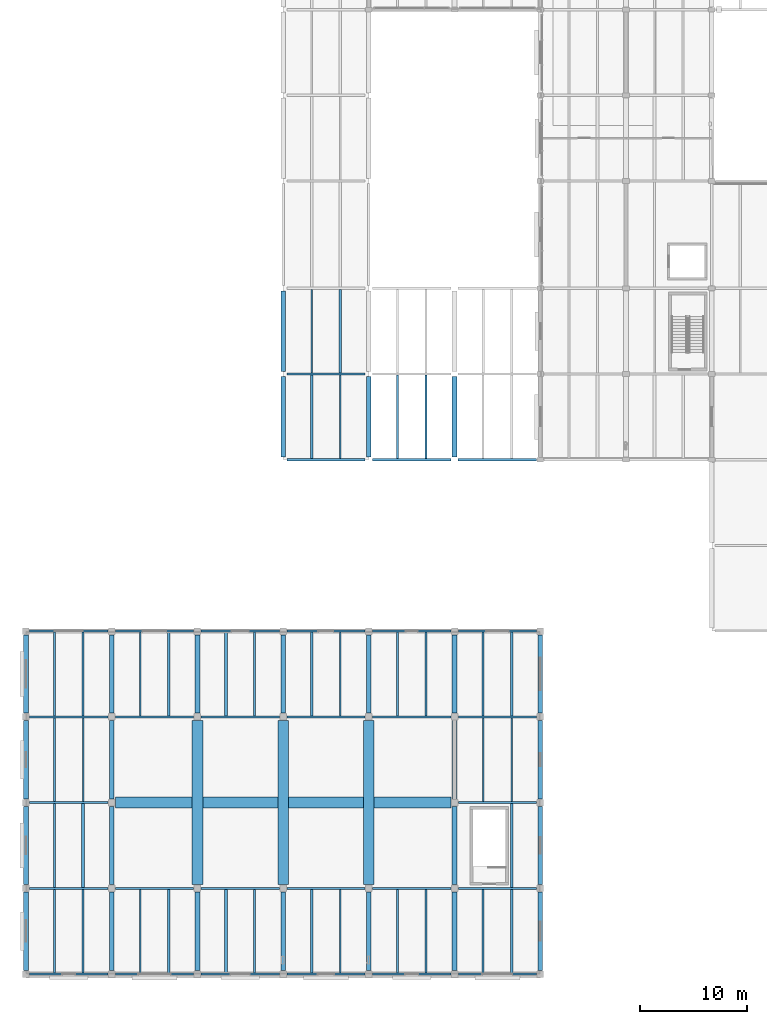
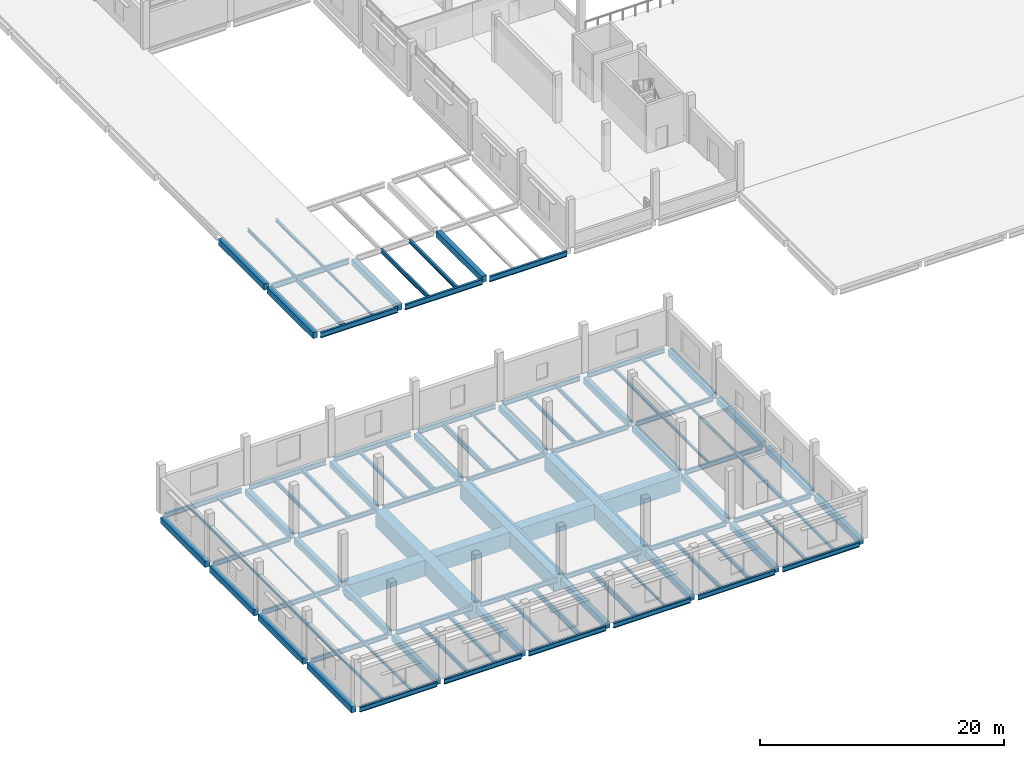
# One storey, part 3 of 52: 97 beams.
"""IFC4 building model written with IfcOpenShell, lengths in metres."""

from ifc_helpers import new_model, si_unit, direction, frame, origin, origin_2d, place, context, subcontext, project, spatial, rectangle, i_section, extrude, material, material_profile, profile_set, type_object, element, save


model = new_model("IFC4")

# Units and contexts
model_context = context("Model", 3, precision=1e-05, world=origin(), true_north=direction((0.0, 1.0)))
body_context = subcontext(model_context, "Body", "Model", "MODEL_VIEW")
ifc_project = project(units=[si_unit("LENGTHUNIT", "METRE"), si_unit("AREAUNIT", "SQUARE_METRE"), si_unit("VOLUMEUNIT", "CUBIC_METRE"), si_unit("PLANEANGLEUNIT", "RADIAN"), si_unit("MASSUNIT", "GRAM", prefix="KILO")], contexts=[model_context])

# Site, building, storey
site_placement = place(None, origin())
site = spatial("IfcSite", under=ifc_project, at=site_placement, CompositionType="ELEMENT")
building_placement = place(site_placement, origin())
building = spatial("IfcBuilding", under=site, at=building_placement, Name="Pecanmere Concourse Central Library", CompositionType="ELEMENT")
storey_placement = place(building_placement, frame((0.0, 0.0, 10.5)))
storey = spatial("IfcBuildingStorey", under=building, at=storey_placement, Name="L03", CompositionType="ELEMENT", Elevation=10.5)

# Beams
ifc_material_1 = material(Name="Concrete C40/50", Category="concrete")
ifc_material_profile_1 = material_profile(ifc_material_1, rectangle(XDim=0.43994140625, YDim=0.6201171875, at=origin_2d()), Name="RC 440x620")
ifc_profile_set_1 = profile_set([ifc_material_profile_1], Name="Concrete C40/50")
beam_type_1 = type_object("IfcBeamType", Name="GRD_440x620", PredefinedType="USERDEFINED", material=ifc_profile_set_1)
for number, where, z_axis, x_axis, name in (
    (1, (0.0, 0.35009765625, -0.64990234375), (0.0, 1.0, 0.0), (-1.0, 0.0, 0.0), "Primary Girder Y L03-1658"),
    (2, (0.0, 8.35009765625, -0.64990234375), (0.0, 1.0, 0.0), (-1.0, 0.0, 0.0), "Primary Girder Y L03-1659"),
    (3, (0.0, 16.35009765625, -0.64990234375), (0.0, 1.0, 0.0), (-1.0, 0.0, 0.0), "Primary Girder Y L03-1660"),
    (4, (0.0, 24.35009765625, -0.64990234375), (0.0, 1.0, 0.0), (-1.0, 0.0, 0.0), "Primary Girder Y L03-1661"),
    (5, (8.0, 0.35009765625, -0.64990234375), (0.0, 1.0, 0.0), (-1.0, 0.0, 0.0), "Primary Girder Y L03-1662"),
    (6, (8.0, 8.35009765625, -0.64990234375), (0.0, 1.0, 0.0), (-1.0, 0.0, 0.0), "Primary Girder Y L03-1663"),
    (7, (8.0, 16.35009765625, -0.64990234375), (0.0, 1.0, 0.0), (-1.0, 0.0, 0.0), "Primary Girder Y L03-1664"),
    (8, (8.0, 24.35009765625, -0.64990234375), (0.0, 1.0, 0.0), (-1.0, 0.0, 0.0), "Primary Girder Y L03-1665"),
    (9, (16.0, 0.35009765625, -0.64990234375), (0.0, 1.0, 0.0), (-1.0, 0.0, 0.0), "Primary Girder Y L03-1666"),
    (10, (16.0, 24.35009765625, -0.64990234375), (0.0, 1.0, 0.0), (-1.0, 0.0, 0.0), "Primary Girder Y L03-1668"),
    (11, (24.0, 0.35009765625, -0.64990234375), (0.0, 1.0, 0.0), (-1.0, 0.0, 0.0), "Primary Girder Y L03-1669"),
    (12, (24.0, 24.35009765625, -0.64990234375), (0.0, 1.0, 0.0), (-1.0, 0.0, 0.0), "Primary Girder Y L03-1671"),
):
    element("IfcBeam", number, at=place(storey_placement, frame(where, z_axis=z_axis, x_axis=x_axis)), inside=storey, type_object=beam_type_1, Name=name, ObjectType="GIRDER", PredefinedType="USERDEFINED", context=body_context, shape_type="SweptSolid", body=[
        extrude(rectangle(XDim=0.43994140625, YDim=0.6201171875, at=origin_2d()), origin(), (0.0, 0.0, 1.0), 7.2998046875),
    ])
for number, where, z_axis, x_axis, name in (
    (13, (24.0, 48.239990234375, -0.64990234375), (0.0, 1.0, 0.0), (-1.0, 0.0, 0.0), "Primary Girder Y L03-1672"),
    (14, (24.0, 56.239990234375, -0.64990234375), (0.0, 1.0, 0.0), (-1.0, 0.0, 0.0), "Primary Girder Y L03-1673"),
):
    element("IfcBeam", number, at=place(storey_placement, frame(where, z_axis=z_axis, x_axis=x_axis)), inside=storey, type_object=beam_type_1, Name=name, ObjectType="GIRDER", PredefinedType="USERDEFINED", context=body_context, shape_type="SweptSolid", body=[
        extrude(rectangle(XDim=0.43994140625, YDim=0.6201171875, at=origin_2d()), origin(), (0.0, 0.0, 1.0), 7.52001953125),
    ])
for number, where, z_axis, x_axis, name in (
    (15, (32.0, 0.35009765625, -0.64990234375), (0.0, 1.0, 0.0), (-1.0, 0.0, 0.0), "Primary Girder Y L03-1679"),
    (16, (32.0, 24.35009765625, -0.64990234375), (0.0, 1.0, 0.0), (-1.0, 0.0, 0.0), "Primary Girder Y L03-1681"),
):
    element("IfcBeam", number, at=place(storey_placement, frame(where, z_axis=z_axis, x_axis=x_axis)), inside=storey, type_object=beam_type_1, Name=name, ObjectType="GIRDER", PredefinedType="USERDEFINED", context=body_context, shape_type="SweptSolid", body=[
        extrude(rectangle(XDim=0.43994140625, YDim=0.6201171875, at=origin_2d()), origin(), (0.0, 0.0, 1.0), 7.2998046875),
    ])
beam_1_placement = place(storey_placement, frame((32.0, 48.239990234375, -0.64990234375), z_axis=(0.0, 1.0, 0.0), x_axis=(-1.0, 0.0, 0.0)))
element("IfcBeam", 17, at=beam_1_placement, inside=storey, type_object=beam_type_1, Name="Primary Girder Y L03-1682", ObjectType="GIRDER", PredefinedType="USERDEFINED", context=body_context, shape_type="SweptSolid", body=[
    extrude(rectangle(XDim=0.43994140625, YDim=0.6201171875, at=origin_2d()), origin(), (0.0, 0.0, 1.0), 7.52001953125),
])
for number, where, z_axis, x_axis, name in (
    (18, (40.0, 0.35009765625, -0.64990234375), (0.0, 1.0, 0.0), (-1.0, 0.0, 0.0), "Primary Girder Y L03-1689"),
    (19, (40.0, 8.35009765625, -0.64990234375), (0.0, 1.0, 0.0), (-1.0, 0.0, 0.0), "Primary Girder Y L03-1690"),
    (20, (40.0, 16.35009765625, -0.64990234375), (0.0, 1.0, 0.0), (-1.0, 0.0, 0.0), "Primary Girder Y L03-1691"),
    (21, (40.0, 24.35009765625, -0.64990234375), (0.0, 1.0, 0.0), (-1.0, 0.0, 0.0), "Primary Girder Y L03-1692"),
):
    element("IfcBeam", number, at=place(storey_placement, frame(where, z_axis=z_axis, x_axis=x_axis)), inside=storey, type_object=beam_type_1, Name=name, ObjectType="GIRDER", PredefinedType="USERDEFINED", context=body_context, shape_type="SweptSolid", body=[
        extrude(rectangle(XDim=0.43994140625, YDim=0.6201171875, at=origin_2d()), origin(), (0.0, 0.0, 1.0), 7.2998046875),
    ])
beam_2_placement = place(storey_placement, frame((40.0, 48.239990234375, -0.64990234375), z_axis=(0.0, 1.0, 0.0), x_axis=(-1.0, 0.0, 0.0)))
element("IfcBeam", 22, at=beam_2_placement, inside=storey, type_object=beam_type_1, Name="Primary Girder Y L03-1693", ObjectType="GIRDER", PredefinedType="USERDEFINED", context=body_context, shape_type="SweptSolid", body=[
    extrude(rectangle(XDim=0.43994140625, YDim=0.6201171875, at=origin_2d()), origin(), (0.0, 0.0, 1.0), 7.52001953125),
])
for number, where, z_axis, x_axis, name in (
    (23, (48.0, 0.35009765625, -0.64990234375), (0.0, 1.0, 0.0), (-1.0, 0.0, 0.0), "Primary Girder Y L03-1697"),
    (24, (48.0, 8.35009765625, -0.64990234375), (0.0, 1.0, 0.0), (-1.0, 0.0, 0.0), "Primary Girder Y L03-1698"),
    (25, (48.0, 16.35009765625, -0.64990234375), (0.0, 1.0, 0.0), (-1.0, 0.0, 0.0), "Primary Girder Y L03-1699"),
    (26, (48.0, 24.35009765625, -0.64990234375), (0.0, 1.0, 0.0), (-1.0, 0.0, 0.0), "Primary Girder Y L03-1700"),
):
    element("IfcBeam", number, at=place(storey_placement, frame(where, z_axis=z_axis, x_axis=x_axis)), inside=storey, type_object=beam_type_1, Name=name, ObjectType="GIRDER", PredefinedType="USERDEFINED", context=body_context, shape_type="SweptSolid", body=[
        extrude(rectangle(XDim=0.43994140625, YDim=0.6201171875, at=origin_2d()), origin(), (0.0, 0.0, 1.0), 7.2998046875),
    ])
ifc_material_2 = material(Name="Structural steel ASTM A992 Grade 50", Category="steel")
ifc_material_profile_2 = material_profile(ifc_material_2, i_section(OverallWidth=0.152099609375, OverallDepth=0.152099609375, WebThickness=0.005859375, FlangeThickness=0.006591796875, at=origin_2d()), Name="W150x22.5")
ifc_profile_set_2 = profile_set([ifc_material_profile_2], Name="Structural steel ASTM A992 Grade 50")
beam_type_2 = type_object("IfcBeamType", Name="SBM_W150x22", PredefinedType="LINTEL", material=ifc_profile_set_2)
for number, where, z_axis, x_axis, name in (
    (27, (5.333251953125, 16.096923828125, -0.416015625), (0.0, 1.0, 0.0), (-1.0, 0.0, 0.0), "Secondary Floor Joist L03-1850"),
    (28, (45.333251953125, 16.096923828125, -0.416015625), (0.0, 1.0, 0.0), (-1.0, 0.0, 0.0), "Secondary Floor Joist L03-1895"),
):
    element("IfcBeam", number, at=place(storey_placement, frame(where, z_axis=z_axis, x_axis=x_axis)), inside=storey, type_object=beam_type_2, Name=name, PredefinedType="LINTEL", context=body_context, shape_type="SweptSolid", body=[
        extrude(i_section(OverallWidth=0.152099609375, OverallDepth=0.152099609375, WebThickness=0.005859375, FlangeThickness=0.006591796875, at=origin_2d()), origin(), (0.0, 0.0, 1.0), 7.80615234375),
    ])
ifc_material_3 = material(Name="Structural steel ASTM A992 Grade 50", Category="steel")
ifc_material_profile_3 = material_profile(ifc_material_3, i_section(OverallWidth=0.1650390625, OverallDepth=0.200927734375, WebThickness=0.006103515625, FlangeThickness=0.01025390625, at=origin_2d()), Name="W200x35.9")
ifc_profile_set_3 = profile_set([ifc_material_profile_3], Name="Structural steel ASTM A992 Grade 50")
beam_type_3 = type_object("IfcBeamType", Name="SBM_W200x36", PredefinedType="LINTEL", material=ifc_profile_set_3)
for number, where, z_axis, x_axis, name in (
    (29, (2.666748046875, 16.096923828125, -0.4404296875), (0.0, 1.0, 0.0), (-1.0, 0.0, 0.0), "Secondary Floor Joist L03-1849"),
    (30, (29.333251953125, 0.096923828125, -0.4404296875), (0.0, 1.0, 0.0), (-1.0, 0.0, 0.0), "Secondary Floor Joist L03-1862"),
    (31, (29.333251953125, 24.096923828125, -0.4404296875), (0.0, 1.0, 0.0), (-1.0, 0.0, 0.0), "Secondary Floor Joist L03-1864"),
):
    element("IfcBeam", number, at=place(storey_placement, frame(where, z_axis=z_axis, x_axis=x_axis)), inside=storey, type_object=beam_type_3, Name=name, PredefinedType="LINTEL", context=body_context, shape_type="SweptSolid", body=[
        extrude(i_section(OverallWidth=0.1650390625, OverallDepth=0.200927734375, WebThickness=0.006103515625, FlangeThickness=0.01025390625, at=origin_2d()), origin(), (0.0, 0.0, 1.0), 7.80615234375),
    ])
beam_3_placement = place(storey_placement, frame((29.333251953125, 48.10546875, -0.4404296875), z_axis=(0.0, 1.0, 0.0), x_axis=(-1.0, 0.0, 0.0)))
element("IfcBeam", 32, at=beam_3_placement, inside=storey, type_object=beam_type_3, Name="Secondary Floor Joist L03-1866", PredefinedType="LINTEL", context=body_context, shape_type="SweptSolid", body=[
    extrude(i_section(OverallWidth=0.1650390625, OverallDepth=0.200927734375, WebThickness=0.006103515625, FlangeThickness=0.01025390625, at=origin_2d()), origin(), (0.0, 0.0, 1.0), 7.7890625),
])
beam_4_placement = place(storey_placement, frame((42.666748046875, 16.096923828125, -0.4404296875), z_axis=(0.0, 1.0, 0.0), x_axis=(-1.0, 0.0, 0.0)))
element("IfcBeam", 33, at=beam_4_placement, inside=storey, type_object=beam_type_3, Name="Secondary Floor Joist L03-1894", PredefinedType="LINTEL", context=body_context, shape_type="SweptSolid", body=[
    extrude(i_section(OverallWidth=0.1650390625, OverallDepth=0.200927734375, WebThickness=0.006103515625, FlangeThickness=0.01025390625, at=origin_2d()), origin(), (0.0, 0.0, 1.0), 7.80615234375),
])
ifc_material_4 = material(Name="Structural steel ASTM A992 Grade 50", Category="steel")
ifc_material_profile_4 = material_profile(ifc_material_4, i_section(OverallWidth=0.2041015625, OverallDepth=0.2060546875, WebThickness=0.0078125, FlangeThickness=0.0126953125, at=origin_2d()), Name="W200x52")
ifc_profile_set_4 = profile_set([ifc_material_profile_4], Name="Structural steel ASTM A992 Grade 50")
beam_type_4 = type_object("IfcBeamType", Name="SBM_W200x52", PredefinedType="JOIST", material=ifc_profile_set_4)
for number, where, z_axis, x_axis, name in (
    (34, (5.333251953125, 0.096923828125, -0.443115234375), (0.0, 1.0, 0.0), (-1.0, 0.0, 0.0), "Secondary Floor Joist L03-1846"),
    (35, (5.333251953125, 24.096923828125, -0.443115234375), (0.0, 1.0, 0.0), (-1.0, 0.0, 0.0), "Secondary Floor Joist L03-1852"),
    (36, (45.333251953125, 0.096923828125, -0.443115234375), (0.0, 1.0, 0.0), (-1.0, 0.0, 0.0), "Secondary Floor Joist L03-1892"),
    (37, (45.333251953125, 24.096923828125, -0.443115234375), (0.0, 1.0, 0.0), (-1.0, 0.0, 0.0), "Secondary Floor Joist L03-1897"),
):
    element("IfcBeam", number, at=place(storey_placement, frame(where, z_axis=z_axis, x_axis=x_axis)), inside=storey, type_object=beam_type_4, Name=name, PredefinedType="JOIST", context=body_context, shape_type="SweptSolid", body=[
        extrude(i_section(OverallWidth=0.2041015625, OverallDepth=0.2060546875, WebThickness=0.0078125, FlangeThickness=0.0126953125, at=origin_2d()), origin(), (0.0, 0.0, 1.0), 7.80615234375),
    ])
ifc_material_5 = material(Name="Structural steel ASTM A992 Grade 50", Category="steel")
ifc_material_profile_5 = material_profile(ifc_material_5, i_section(OverallWidth=0.201904296875, OverallDepth=0.2470703125, WebThickness=0.00732421875, FlangeThickness=0.010986328125, at=origin_2d()), Name="W250x49.1")
ifc_profile_set_5 = profile_set([ifc_material_profile_5], Name="Structural steel ASTM A992 Grade 50")
beam_type_5 = type_object("IfcBeamType", Name="SBM_W250x49", PredefinedType="JOIST", material=ifc_profile_set_5)
for number, where, z_axis, x_axis, name in (
    (38, (2.666748046875, 0.096923828125, -0.46337890625), (0.0, 1.0, 0.0), (-1.0, 0.0, 0.0), "Secondary Floor Joist L03-1845"),
    (39, (2.666748046875, 24.096923828125, -0.46337890625), (0.0, 1.0, 0.0), (-1.0, 0.0, 0.0), "Secondary Floor Joist L03-1851"),
):
    element("IfcBeam", number, at=place(storey_placement, frame(where, z_axis=z_axis, x_axis=x_axis)), inside=storey, type_object=beam_type_5, Name=name, PredefinedType="JOIST", context=body_context, shape_type="SweptSolid", body=[
        extrude(i_section(OverallWidth=0.201904296875, OverallDepth=0.2470703125, WebThickness=0.00732421875, FlangeThickness=0.010986328125, at=origin_2d()), origin(), (0.0, 0.0, 1.0), 7.80615234375),
    ])
beam_5_placement = place(storey_placement, frame((29.333251953125, 56.10546875, -0.46337890625), z_axis=(0.0, 1.0, 0.0), x_axis=(-1.0, 0.0, 0.0)))
element("IfcBeam", 40, at=beam_5_placement, inside=storey, type_object=beam_type_5, Name="Secondary Floor Joist L03-1868", PredefinedType="JOIST", context=body_context, shape_type="SweptSolid", body=[
    extrude(i_section(OverallWidth=0.201904296875, OverallDepth=0.2470703125, WebThickness=0.00732421875, FlangeThickness=0.010986328125, at=origin_2d()), origin(), (0.0, 0.0, 1.0), 7.7890625),
])
for number, where, z_axis, x_axis, name in (
    (41, (42.666748046875, 0.096923828125, -0.46337890625), (0.0, 1.0, 0.0), (-1.0, 0.0, 0.0), "Secondary Floor Joist L03-1891"),
    (42, (42.666748046875, 24.096923828125, -0.46337890625), (0.0, 1.0, 0.0), (-1.0, 0.0, 0.0), "Secondary Floor Joist L03-1896"),
):
    element("IfcBeam", number, at=place(storey_placement, frame(where, z_axis=z_axis, x_axis=x_axis)), inside=storey, type_object=beam_type_5, Name=name, PredefinedType="JOIST", context=body_context, shape_type="SweptSolid", body=[
        extrude(i_section(OverallWidth=0.201904296875, OverallDepth=0.2470703125, WebThickness=0.00732421875, FlangeThickness=0.010986328125, at=origin_2d()), origin(), (0.0, 0.0, 1.0), 7.80615234375),
    ])
ifc_material_6 = material(Name="Structural steel ASTM A992 Grade 50", Category="steel")
ifc_material_profile_6 = material_profile(ifc_material_6, i_section(OverallWidth=0.25390625, OverallDepth=0.2529296875, WebThickness=0.008544921875, FlangeThickness=0.01416015625, at=origin_2d()), Name="W250x73")
ifc_profile_set_6 = profile_set([ifc_material_profile_6], Name="Structural steel ASTM A992 Grade 50")
beam_type_6 = type_object("IfcBeamType", Name="SBM_W250x73", PredefinedType="BEAM", material=ifc_profile_set_6)
for number, where, z_axis, x_axis, name in (
    (43, (5.333251953125, 8.096923828125, -0.466552734375), (0.0, 1.0, 0.0), (-1.0, 0.0, 0.0), "Secondary Floor Joist L03-1848"),
    (44, (18.666748046875, 0.096923828125, -0.466552734375), (0.0, 1.0, 0.0), (-1.0, 0.0, 0.0), "Secondary Floor Joist L03-1857"),
    (45, (18.666748046875, 24.096923828125, -0.466552734375), (0.0, 1.0, 0.0), (-1.0, 0.0, 0.0), "Secondary Floor Joist L03-1859"),
    (46, (45.333251953125, 8.096923828125, -0.466552734375), (0.0, 1.0, 0.0), (-1.0, 0.0, 0.0), "Secondary Floor Joist L03-1893"),
):
    element("IfcBeam", number, at=place(storey_placement, frame(where, z_axis=z_axis, x_axis=x_axis)), inside=storey, type_object=beam_type_6, Name=name, PredefinedType="BEAM", context=body_context, shape_type="SweptSolid", body=[
        extrude(i_section(OverallWidth=0.25390625, OverallDepth=0.2529296875, WebThickness=0.008544921875, FlangeThickness=0.01416015625, at=origin_2d()), origin(), (0.0, 0.0, 1.0), 7.80615234375),
    ])
ifc_material_7 = material(Name="Structural steel ASTM A992 Grade 50", Category="steel")
ifc_material_profile_7 = material_profile(ifc_material_7, i_section(OverallWidth=0.1669921875, OverallDepth=0.31689453125, WebThickness=0.007568359375, FlangeThickness=0.01318359375, at=origin_2d()), Name="W310x52")
ifc_profile_set_7 = profile_set([ifc_material_profile_7], Name="Structural steel ASTM A992 Grade 50")
beam_type_7 = type_object("IfcBeamType", Name="SBM_W310x52", PredefinedType="JOIST", material=ifc_profile_set_7)
beam_6_placement = place(storey_placement, frame((26.666748046875, 56.10546875, -0.49853515625), z_axis=(0.0, 1.0, 0.0), x_axis=(-1.0, 0.0, 0.0)))
element("IfcBeam", 47, at=beam_6_placement, inside=storey, type_object=beam_type_7, Name="Secondary Floor Joist L03-1867", PredefinedType="JOIST", context=body_context, shape_type="SweptSolid", body=[
    extrude(i_section(OverallWidth=0.1669921875, OverallDepth=0.31689453125, WebThickness=0.007568359375, FlangeThickness=0.01318359375, at=origin_2d()), origin(), (0.0, 0.0, 1.0), 7.7890625),
])
ifc_material_8 = material(Name="Structural steel ASTM A992 Grade 50", Category="steel")
ifc_material_profile_8 = material_profile(ifc_material_8, i_section(OverallWidth=0.205078125, OverallDepth=0.31005859375, WebThickness=0.009521484375, FlangeThickness=0.016357421875, at=origin_2d()), Name="W310x74")
ifc_profile_set_8 = profile_set([ifc_material_profile_8], Name="Structural steel ASTM A992 Grade 50")
beam_type_8 = type_object("IfcBeamType", Name="SBM_W310x74", PredefinedType="BEAM", material=ifc_profile_set_8)
beam_7_placement = place(storey_placement, frame((2.666748046875, 8.096923828125, -0.4951171875), z_axis=(0.0, 1.0, 0.0), x_axis=(-1.0, 0.0, 0.0)))
element("IfcBeam", 48, at=beam_7_placement, inside=storey, type_object=beam_type_8, Name="Secondary Floor Joist L03-1847", PredefinedType="BEAM", context=body_context, shape_type="SweptSolid", body=[
    extrude(i_section(OverallWidth=0.205078125, OverallDepth=0.31005859375, WebThickness=0.009521484375, FlangeThickness=0.016357421875, at=origin_2d()), origin(), (0.0, 0.0, 1.0), 7.80615234375),
])
ifc_material_9 = material(Name="Structural steel ASTM A992 Grade 50", Category="steel")
ifc_material_profile_9 = material_profile(ifc_material_9, i_section(OverallWidth=0.202880859375, OverallDepth=0.346923828125, WebThickness=0.0078125, FlangeThickness=0.013427734375, at=origin_2d()), Name="W360x64")
ifc_profile_set_9 = profile_set([ifc_material_profile_9], Name="Structural steel ASTM A992 Grade 50")
beam_type_9 = type_object("IfcBeamType", Name="SBM_W360x64", PredefinedType="JOIST", material=ifc_profile_set_9)
for number, where, z_axis, x_axis, name in (
    (49, (37.333251953125, 0.096923828125, -0.513427734375), (0.0, 1.0, 0.0), (-1.0, 0.0, 0.0), "Secondary Floor Joist L03-1880"),
    (50, (37.333251953125, 24.096923828125, -0.513427734375), (0.0, 1.0, 0.0), (-1.0, 0.0, 0.0), "Secondary Floor Joist L03-1882"),
):
    element("IfcBeam", number, at=place(storey_placement, frame(where, z_axis=z_axis, x_axis=x_axis)), inside=storey, type_object=beam_type_9, Name=name, PredefinedType="JOIST", context=body_context, shape_type="SweptSolid", body=[
        extrude(i_section(OverallWidth=0.202880859375, OverallDepth=0.346923828125, WebThickness=0.0078125, FlangeThickness=0.013427734375, at=origin_2d()), origin(), (0.0, 0.0, 1.0), 7.80615234375),
    ])
beam_8_placement = place(storey_placement, frame((37.333251953125, 48.10546875, -0.513427734375), z_axis=(0.0, 1.0, 0.0), x_axis=(-1.0, 0.0, 0.0)))
element("IfcBeam", 51, at=beam_8_placement, inside=storey, type_object=beam_type_9, Name="Secondary Floor Joist L03-1884", PredefinedType="JOIST", context=body_context, shape_type="SweptSolid", body=[
    extrude(i_section(OverallWidth=0.202880859375, OverallDepth=0.346923828125, WebThickness=0.0078125, FlangeThickness=0.013427734375, at=origin_2d()), origin(), (0.0, 0.0, 1.0), 7.7890625),
])
ifc_material_10 = material(Name="Structural steel ASTM A992 Grade 50", Category="steel")
ifc_material_profile_10 = material_profile(ifc_material_10, i_section(OverallWidth=0.25390625, OverallDepth=0.35302734375, WebThickness=0.009521484375, FlangeThickness=0.016357421875, at=origin_2d()), Name="W360x91")
ifc_profile_set_10 = profile_set([ifc_material_profile_10], Name="Structural steel ASTM A992 Grade 50")
beam_type_10 = type_object("IfcBeamType", Name="SBM_W360x91", PredefinedType="BEAM", material=ifc_profile_set_10)
for number, where, z_axis, x_axis, name in (
    (52, (13.333251953125, 0.096923828125, -0.5166015625), (0.0, 1.0, 0.0), (-1.0, 0.0, 0.0), "Secondary Floor Joist L03-1854"),
    (53, (13.333251953125, 24.096923828125, -0.5166015625), (0.0, 1.0, 0.0), (-1.0, 0.0, 0.0), "Secondary Floor Joist L03-1856"),
):
    element("IfcBeam", number, at=place(storey_placement, frame(where, z_axis=z_axis, x_axis=x_axis)), inside=storey, type_object=beam_type_10, Name=name, PredefinedType="BEAM", context=body_context, shape_type="SweptSolid", body=[
        extrude(i_section(OverallWidth=0.25390625, OverallDepth=0.35302734375, WebThickness=0.009521484375, FlangeThickness=0.016357421875, at=origin_2d()), origin(), (0.0, 0.0, 1.0), 7.80615234375),
    ])
ifc_material_11 = material(Name="Structural steel ASTM A992 Grade 50", Category="steel")
ifc_material_profile_11 = material_profile(ifc_material_11, i_section(OverallWidth=0.177978515625, OverallDepth=0.406982421875, WebThickness=0.0078125, FlangeThickness=0.0126953125, at=origin_2d()), Name="W410x60")
ifc_profile_set_11 = profile_set([ifc_material_profile_11], Name="Structural steel ASTM A992 Grade 50")
beam_type_11 = type_object("IfcBeamType", Name="SBM_W410x60", PredefinedType="JOIST", material=ifc_profile_set_11)
for number, where, z_axis, x_axis, name in (
    (54, (34.666748046875, 0.096923828125, -0.54345703125), (0.0, 1.0, 0.0), (-1.0, 0.0, 0.0), "Secondary Floor Joist L03-1879"),
    (55, (34.666748046875, 24.096923828125, -0.54345703125), (0.0, 1.0, 0.0), (-1.0, 0.0, 0.0), "Secondary Floor Joist L03-1881"),
):
    element("IfcBeam", number, at=place(storey_placement, frame(where, z_axis=z_axis, x_axis=x_axis)), inside=storey, type_object=beam_type_11, Name=name, PredefinedType="JOIST", context=body_context, shape_type="SweptSolid", body=[
        extrude(i_section(OverallWidth=0.177978515625, OverallDepth=0.406982421875, WebThickness=0.0078125, FlangeThickness=0.0126953125, at=origin_2d()), origin(), (0.0, 0.0, 1.0), 7.80615234375),
    ])
beam_9_placement = place(storey_placement, frame((34.666748046875, 48.10546875, -0.54345703125), z_axis=(0.0, 1.0, 0.0), x_axis=(-1.0, 0.0, 0.0)))
element("IfcBeam", 56, at=beam_9_placement, inside=storey, type_object=beam_type_11, Name="Secondary Floor Joist L03-1883", PredefinedType="JOIST", context=body_context, shape_type="SweptSolid", body=[
    extrude(i_section(OverallWidth=0.177978515625, OverallDepth=0.406982421875, WebThickness=0.0078125, FlangeThickness=0.0126953125, at=origin_2d()), origin(), (0.0, 0.0, 1.0), 7.7890625),
])
ifc_material_12 = material(Name="Structural steel ASTM A992 Grade 50", Category="steel")
ifc_material_profile_12 = material_profile(ifc_material_12, i_section(OverallWidth=0.180908203125, OverallDepth=0.4169921875, WebThickness=0.010986328125, FlangeThickness=0.018310546875, at=origin_2d()), Name="W410x85")
ifc_profile_set_12 = profile_set([ifc_material_profile_12], Name="Structural steel ASTM A992 Grade 50")
beam_type_12 = type_object("IfcBeamType", Name="SBM_W410x85", PredefinedType="BEAM", material=ifc_profile_set_12)
for number, where, z_axis, x_axis, name in (
    (57, (10.666748046875, 0.096923828125, -0.548583984375), (0.0, 1.0, 0.0), (-1.0, 0.0, 0.0), "Secondary Floor Joist L03-1853"),
    (58, (10.666748046875, 24.096923828125, -0.548583984375), (0.0, 1.0, 0.0), (-1.0, 0.0, 0.0), "Secondary Floor Joist L03-1855"),
):
    element("IfcBeam", number, at=place(storey_placement, frame(where, z_axis=z_axis, x_axis=x_axis)), inside=storey, type_object=beam_type_12, Name=name, PredefinedType="BEAM", context=body_context, shape_type="SweptSolid", body=[
        extrude(i_section(OverallWidth=0.180908203125, OverallDepth=0.4169921875, WebThickness=0.010986328125, FlangeThickness=0.018310546875, at=origin_2d()), origin(), (0.0, 0.0, 1.0), 7.80615234375),
    ])
ifc_material_13 = material(Name="Structural steel ASTM A992 Grade 50", Category="steel")
ifc_material_profile_13 = material_profile(ifc_material_13, i_section(OverallWidth=0.194091796875, OverallDepth=0.468994140625, WebThickness=0.0126953125, FlangeThickness=0.0205078125, at=origin_2d()), Name="W460x106")
ifc_profile_set_13 = profile_set([ifc_material_profile_13], Name="Structural steel ASTM A992 Grade 50")
beam_type_13 = type_object("IfcBeamType", Name="SBM_W460x106", PredefinedType="USERDEFINED", material=ifc_profile_set_13)
for number, where, z_axis, x_axis, name in (
    (59, (0.35009765625, 0.0, -0.574462890625), (1.0, 0.0, 0.0), (0.0, 1.0, 0.0), "Primary Girder X L03-1472"),
    (60, (8.35009765625, 0.0, -0.574462890625), (1.0, 0.0, 0.0), (0.0, 1.0, 0.0), "Primary Girder X L03-1473"),
    (61, (16.35009765625, 0.0, -0.574462890625), (1.0, 0.0, 0.0), (0.0, 1.0, 0.0), "Primary Girder X L03-1474"),
    (62, (24.35009765625, 0.0, -0.574462890625), (1.0, 0.0, 0.0), (0.0, 1.0, 0.0), "Primary Girder X L03-1475"),
    (63, (32.35009765625, 0.0, -0.574462890625), (1.0, 0.0, 0.0), (0.0, 1.0, 0.0), "Primary Girder X L03-1476"),
    (64, (40.35009765625, 0.0, -0.574462890625), (1.0, 0.0, 0.0), (0.0, 1.0, 0.0), "Primary Girder X L03-1477"),
    (65, (0.35009765625, 8.0, -0.574462890625), (1.0, 0.0, 0.0), (0.0, 1.0, 0.0), "Primary Girder X L03-1484"),
    (66, (8.35009765625, 8.0, -0.574462890625), (1.0, 0.0, 0.0), (0.0, 1.0, 0.0), "Primary Girder X L03-1485"),
    (67, (16.35009765625, 8.0, -0.574462890625), (1.0, 0.0, 0.0), (0.0, 1.0, 0.0), "Primary Girder X L03-1486"),
    (68, (24.35009765625, 8.0, -0.574462890625), (1.0, 0.0, 0.0), (0.0, 1.0, 0.0), "Primary Girder X L03-1487"),
    (69, (32.35009765625, 8.0, -0.574462890625), (1.0, 0.0, 0.0), (0.0, 1.0, 0.0), "Primary Girder X L03-1488"),
    (70, (40.35009765625, 8.0, -0.574462890625), (1.0, 0.0, 0.0), (0.0, 1.0, 0.0), "Primary Girder X L03-1489"),
    (71, (0.35009765625, 16.0, -0.574462890625), (1.0, 0.0, 0.0), (0.0, 1.0, 0.0), "Primary Girder X L03-1496"),
    (72, (40.35009765625, 16.0, -0.574462890625), (1.0, 0.0, 0.0), (0.0, 1.0, 0.0), "Primary Girder X L03-1498"),
    (73, (0.35009765625, 24.0, -0.574462890625), (1.0, 0.0, 0.0), (0.0, 1.0, 0.0), "Primary Girder X L03-1505"),
    (74, (8.35009765625, 24.0, -0.574462890625), (1.0, 0.0, 0.0), (0.0, 1.0, 0.0), "Primary Girder X L03-1506"),
    (75, (16.35009765625, 24.0, -0.574462890625), (1.0, 0.0, 0.0), (0.0, 1.0, 0.0), "Primary Girder X L03-1507"),
    (76, (24.35009765625, 24.0, -0.574462890625), (1.0, 0.0, 0.0), (0.0, 1.0, 0.0), "Primary Girder X L03-1508"),
    (77, (32.35009765625, 24.0, -0.574462890625), (1.0, 0.0, 0.0), (0.0, 1.0, 0.0), "Primary Girder X L03-1509"),
    (78, (40.35009765625, 24.0, -0.574462890625), (1.0, 0.0, 0.0), (0.0, 1.0, 0.0), "Primary Girder X L03-1510"),
    (79, (0.35009765625, 32.0, -0.574462890625), (1.0, 0.0, 0.0), (0.0, 1.0, 0.0), "Primary Girder X L03-1517"),
    (80, (8.35009765625, 32.0, -0.574462890625), (1.0, 0.0, 0.0), (0.0, 1.0, 0.0), "Primary Girder X L03-1518"),
    (81, (16.35009765625, 32.0, -0.574462890625), (1.0, 0.0, 0.0), (0.0, 1.0, 0.0), "Primary Girder X L03-1519"),
    (82, (24.35009765625, 32.0, -0.574462890625), (1.0, 0.0, 0.0), (0.0, 1.0, 0.0), "Primary Girder X L03-1520"),
    (83, (32.35009765625, 32.0, -0.574462890625), (1.0, 0.0, 0.0), (0.0, 1.0, 0.0), "Primary Girder X L03-1521"),
    (84, (40.35009765625, 32.0, -0.574462890625), (1.0, 0.0, 0.0), (0.0, 1.0, 0.0), "Primary Girder X L03-1522"),
):
    element("IfcBeam", number, at=place(storey_placement, frame(where, z_axis=z_axis, x_axis=x_axis)), inside=storey, type_object=beam_type_13, Name=name, ObjectType="GIRDER", PredefinedType="USERDEFINED", context=body_context, shape_type="SweptSolid", body=[
        extrude(i_section(OverallWidth=0.194091796875, OverallDepth=0.468994140625, WebThickness=0.0126953125, FlangeThickness=0.0205078125, at=origin_2d()), origin(), (0.0, 0.0, 1.0), 7.2998046875),
    ])
ifc_material_14 = material(Name="Structural steel ASTM A992 Grade 50", Category="steel")
ifc_material_profile_14 = material_profile(ifc_material_14, i_section(OverallWidth=0.2109375, OverallDepth=0.5390625, WebThickness=0.01171875, FlangeThickness=0.018798828125, at=origin_2d()), Name="W530x109")
ifc_profile_set_14 = profile_set([ifc_material_profile_14], Name="Structural steel ASTM A992 Grade 50")
beam_type_14 = type_object("IfcBeamType", Name="SBM_W530x109", PredefinedType="USERDEFINED", material=ifc_profile_set_14)
for number, where, z_axis, x_axis, name in (
    (85, (24.340087890625, 48.0, -0.609619140625), (1.0, 0.0, 0.0), (0.0, 1.0, 0.0), "Primary Girder X L03-1541"),
    (86, (32.340087890625, 48.0, -0.609619140625), (1.0, 0.0, 0.0), (0.0, 1.0, 0.0), "Primary Girder X L03-1542"),
    (87, (40.340087890625, 48.0, -0.609619140625), (1.0, 0.0, 0.0), (0.0, 1.0, 0.0), "Primary Girder X L03-1543"),
    (88, (24.340087890625, 56.0, -0.609619140625), (1.0, 0.0, 0.0), (0.0, 1.0, 0.0), "Primary Girder X L03-1556"),
):
    element("IfcBeam", number, at=place(storey_placement, frame(where, z_axis=z_axis, x_axis=x_axis)), inside=storey, type_object=beam_type_14, Name=name, ObjectType="GIRDER", PredefinedType="USERDEFINED", context=body_context, shape_type="SweptSolid", body=[
        extrude(i_section(OverallWidth=0.2109375, OverallDepth=0.5390625, WebThickness=0.01171875, FlangeThickness=0.018798828125, at=origin_2d()), origin(), (0.0, 0.0, 1.0), 7.31982421875),
    ])
for number, where, z_axis, x_axis, name in (
    (89, (26.666748046875, 0.096923828125, -0.609619140625), (0.0, 1.0, 0.0), (-1.0, 0.0, 0.0), "Secondary Floor Joist L03-1861"),
    (90, (26.666748046875, 24.096923828125, -0.609619140625), (0.0, 1.0, 0.0), (-1.0, 0.0, 0.0), "Secondary Floor Joist L03-1863"),
):
    element("IfcBeam", number, at=place(storey_placement, frame(where, z_axis=z_axis, x_axis=x_axis)), inside=storey, type_object=beam_type_14, Name=name, ObjectType="GIRDER", PredefinedType="USERDEFINED", context=body_context, shape_type="SweptSolid", body=[
        extrude(i_section(OverallWidth=0.2109375, OverallDepth=0.5390625, WebThickness=0.01171875, FlangeThickness=0.018798828125, at=origin_2d()), origin(), (0.0, 0.0, 1.0), 7.80615234375),
    ])
beam_10_placement = place(storey_placement, frame((26.666748046875, 48.10546875, -0.609619140625), z_axis=(0.0, 1.0, 0.0), x_axis=(-1.0, 0.0, 0.0)))
element("IfcBeam", 91, at=beam_10_placement, inside=storey, type_object=beam_type_14, Name="Secondary Floor Joist L03-1865", ObjectType="GIRDER", PredefinedType="USERDEFINED", context=body_context, shape_type="SweptSolid", body=[
    extrude(i_section(OverallWidth=0.2109375, OverallDepth=0.5390625, WebThickness=0.01171875, FlangeThickness=0.018798828125, at=origin_2d()), origin(), (0.0, 0.0, 1.0), 7.7890625),
])
ifc_material_15 = material(Name="Structural steel ASTM A992 Grade 50", Category="steel")
ifc_material_profile_15 = material_profile(ifc_material_15, i_section(OverallWidth=0.208984375, OverallDepth=0.532958984375, WebThickness=0.01025390625, FlangeThickness=0.015625, at=origin_2d()), Name="W530x92")
ifc_profile_set_15 = profile_set([ifc_material_profile_15], Name="Structural steel ASTM A992 Grade 50")
beam_type_15 = type_object("IfcBeamType", Name="SBM_W530x92", PredefinedType="BEAM", material=ifc_profile_set_15)
for number, where, z_axis, x_axis, name in (
    (92, (21.333251953125, 0.096923828125, -0.6064453125), (0.0, 1.0, 0.0), (-1.0, 0.0, 0.0), "Secondary Floor Joist L03-1858"),
    (93, (21.333251953125, 24.096923828125, -0.6064453125), (0.0, 1.0, 0.0), (-1.0, 0.0, 0.0), "Secondary Floor Joist L03-1860"),
):
    element("IfcBeam", number, at=place(storey_placement, frame(where, z_axis=z_axis, x_axis=x_axis)), inside=storey, type_object=beam_type_15, Name=name, PredefinedType="BEAM", context=body_context, shape_type="SweptSolid", body=[
        extrude(i_section(OverallWidth=0.208984375, OverallDepth=0.532958984375, WebThickness=0.01025390625, FlangeThickness=0.015625, at=origin_2d()), origin(), (0.0, 0.0, 1.0), 7.80615234375),
    ])
ifc_material_16 = material(Name="Concrete C40/50", Category="concrete")
ifc_material_profile_16 = material_profile(ifc_material_16, rectangle(XDim=1.0, YDim=1.60009765625, at=origin_2d()), Name="RC 1000x1600")
ifc_profile_set_16 = profile_set([ifc_material_profile_16], Name="Concrete C40/50")
beam_type_16 = type_object("IfcBeamType", Name="TG_1000x1600", PredefinedType="USERDEFINED", material=ifc_profile_set_16)
beam_11_placement = place(storey_placement, frame((8.35009765625, 16.0, -1.139892578125), z_axis=(1.0, 0.0, 0.0), x_axis=(0.0, 1.0, 0.0)))
element("IfcBeam", 94, at=beam_11_placement, inside=storey, type_object=beam_type_16, Name="Primary Girder X L03-1497", ObjectType="GIRDER", PredefinedType="USERDEFINED", context=body_context, shape_type="SweptSolid", body=[
    extrude(rectangle(XDim=1.0, YDim=1.60009765625, at=origin_2d()), origin(), (0.0, 0.0, 1.0), 31.2998046875),
])
for number, where, z_axis, x_axis, name in (
    (95, (16.0, 8.35009765625, -1.139892578125), (0.0, 1.0, 0.0), (-1.0, 0.0, 0.0), "Primary Girder Y L03-1667"),
    (96, (24.0, 8.35009765625, -1.139892578125), (0.0, 1.0, 0.0), (-1.0, 0.0, 0.0), "Primary Girder Y L03-1670"),
    (97, (32.0, 8.35009765625, -1.139892578125), (0.0, 1.0, 0.0), (-1.0, 0.0, 0.0), "Primary Girder Y L03-1680"),
):
    element("IfcBeam", number, at=place(storey_placement, frame(where, z_axis=z_axis, x_axis=x_axis)), inside=storey, type_object=beam_type_16, Name=name, ObjectType="GIRDER", PredefinedType="USERDEFINED", context=body_context, shape_type="SweptSolid", body=[
        extrude(rectangle(XDim=1.0, YDim=1.60009765625, at=origin_2d()), origin(), (0.0, 0.0, 1.0), 15.2998046875),
    ])

save(model, "model.ifc")
